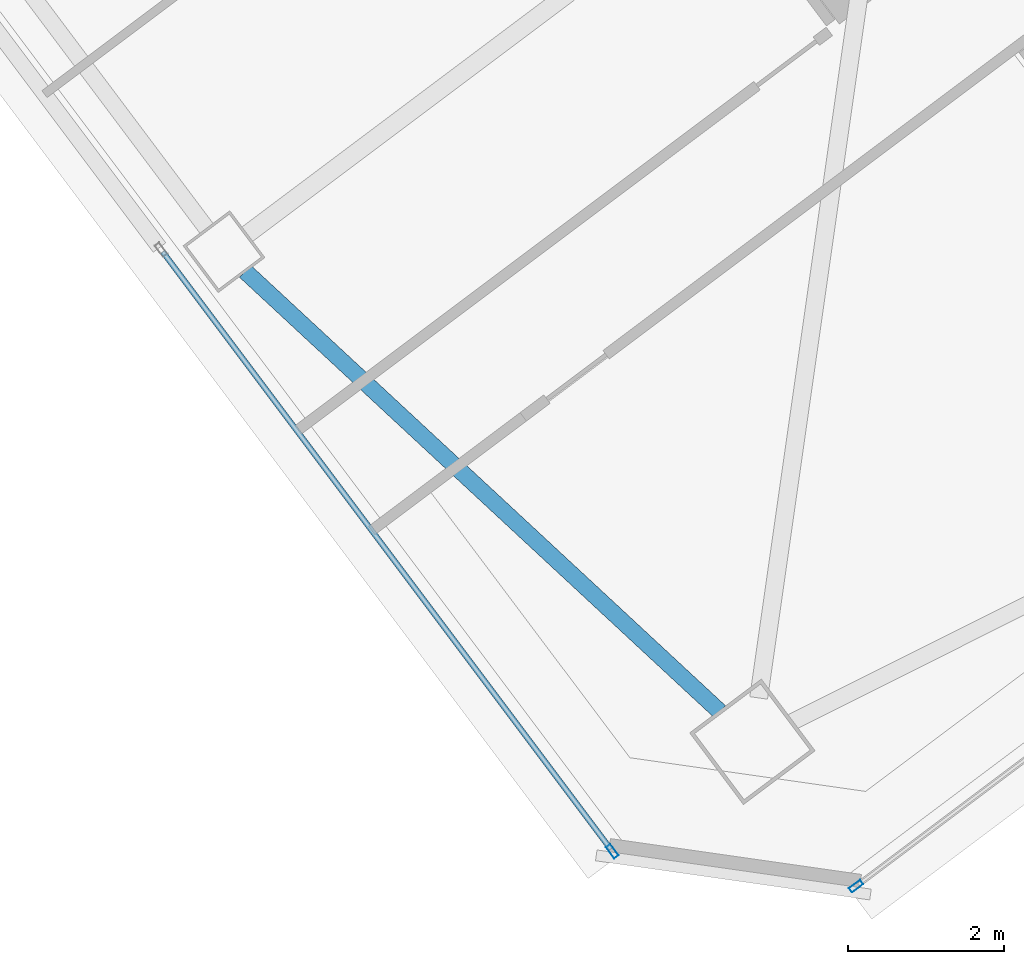
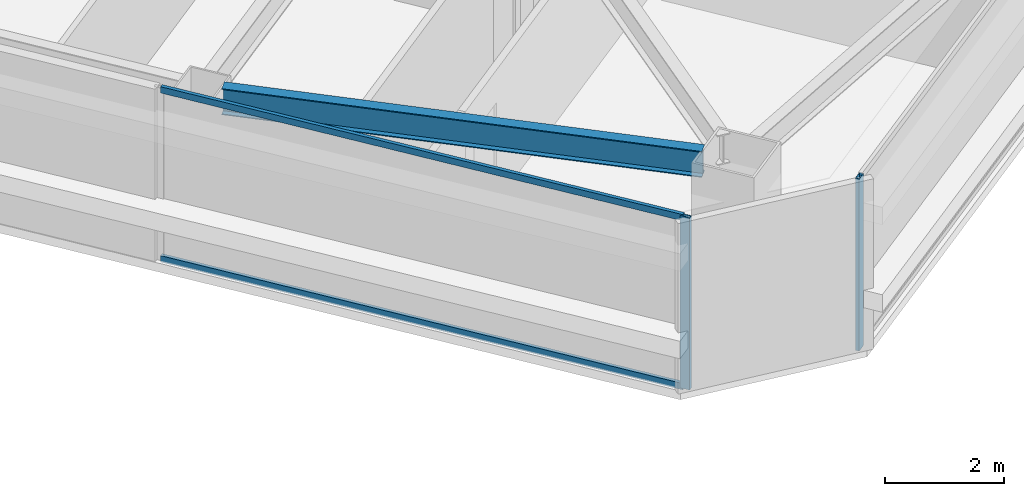
# One storey, part 17 of 41: 4 members, 1 beam, 2 elements without a shape of their own.
"""IFC4 building model written with IfcOpenShell, lengths in metres."""

from ifc_helpers import new_model, si_unit, direction, frame, origin, origin_2d, place, context, subcontext, project, spatial, hollow_rectangle, i_section, extrude, material, material_profile, profile_set, type_object, element, aggregate, save


model = new_model("IFC4")

# Units and contexts
model_context = context("Model", 3, precision=1e-05, world=origin(), true_north=direction((0.0, 1.0)))
body_context = subcontext(model_context, "Body", "Model", "MODEL_VIEW")
ifc_project = project(units=[si_unit("LENGTHUNIT", "METRE"), si_unit("AREAUNIT", "SQUARE_METRE"), si_unit("VOLUMEUNIT", "CUBIC_METRE"), si_unit("PLANEANGLEUNIT", "RADIAN"), si_unit("MASSUNIT", "GRAM", prefix="KILO")], contexts=[model_context])

# Site, building, storey
site_placement = place(None, origin())
site = spatial("IfcSite", under=ifc_project, at=site_placement, CompositionType="ELEMENT")
building_placement = place(site_placement, origin())
building = spatial("IfcBuilding", under=site, at=building_placement, Name="Tashvorn Skyway Center", CompositionType="ELEMENT")
storey_placement = place(building_placement, frame((0.0, 0.0, 192.5)))
storey = spatial("IfcBuildingStorey", under=building, at=storey_placement, Name="L52", CompositionType="ELEMENT", Elevation=192.5)

# Beam
ifc_material_1 = material(Name="Steel ASTM A992 Grade 50", Category="steel")
ifc_material_profile_1 = material_profile(ifc_material_1, i_section(OverallWidth=0.2109375, OverallDepth=0.5390625, WebThickness=0.01171875, FlangeThickness=0.018798828125, at=origin_2d()), Name="W21X73")
ifc_profile_set_1 = profile_set([ifc_material_profile_1], Name="Steel ASTM A992 Grade 50")
beam_type = type_object("IfcBeamType", Name="BM-SPANDREL-W21X73", PredefinedType="SPANDREL", material=ifc_profile_set_1)
beam_placement = place(storey_placement, frame((104.59130859375, 17.73828125, 3.1005859375), z_axis=(0.733101115618, -0.680119661736, 0.0), x_axis=(0.680119661736, 0.733101115618, 0.0)))
element("IfcBeam", 1, at=beam_placement, inside=storey, type_object=beam_type, Name="Tower 2 L52 Spandrel Beam 12", PredefinedType="SPANDREL", context=body_context, shape_type="SweptSolid", body=[
    extrude(i_section(OverallWidth=0.2109375, OverallDepth=0.5390625, WebThickness=0.01171875, FlangeThickness=0.018798828125, at=origin_2d()), origin(), (0.0, 0.0, 1.0), 8.308349609375),
])

# Curtain wall, member
ifc_material_2 = material(Name="Thermally broken bronze-anodized aluminium 6063-T6", Category="aluminium")
curtain_wall_type = type_object("IfcCurtainWallType", Name="CW-CW-Z4", PredefinedType="NOTDEFINED", material=ifc_material_2)
curtain_wall_1_placement = place(storey_placement, origin())
curtain_wall_1 = element("IfcCurtainWall", 2, at=curtain_wall_1_placement, inside=storey, type_object=curtain_wall_type, Name="Tower 2 L52 South Unitised Curtain Wall Glazing Group 2", PredefinedType="NOTDEFINED")
ifc_material_profile_2 = material_profile(ifc_material_2, hollow_rectangle(XDim=0.070068359375, YDim=0.179931640625, WallThickness=0.00390625, at=origin_2d()), Name="ALU-MULL-70x180")
ifc_profile_set_2 = profile_set([ifc_material_profile_2], Name="Thermally broken bronze-anodized aluminium 6063-T6")
member_type_1 = type_object("IfcMemberType", Name="CWM-CW-Z4", PredefinedType="MULLION", material=ifc_profile_set_2)
member_1_placement = place(storey_placement, frame((112.431884765625, 9.84912109375, 0.0), z_axis=(0.0, 0.0, 1.0), x_axis=(0.600000000002, -0.799999999998, 0.0)))
member_1 = element("IfcMember", 3, at=member_1_placement, type_object=member_type_1, Name="CW-Z4 mullion 2", PredefinedType="MULLION", context=body_context, shape_type="SweptSolid", body=[
    extrude(hollow_rectangle(XDim=0.070068359375, YDim=0.179931640625, WallThickness=0.00390625, at=origin_2d()), origin(), (0.0, 0.0, 1.0), 3.550048828125),
])
aggregate(curtain_wall_1, [member_1])

# Curtain wall, members
curtain_wall_2_placement = place(storey_placement, origin())
curtain_wall_2 = element("IfcCurtainWall", 4, at=curtain_wall_2_placement, inside=storey, type_object=curtain_wall_type, Name="Tower 2 L52 West Unitised Curtain Wall Glazing Group 1", PredefinedType="NOTDEFINED")
member_2_placement = place(storey_placement, frame((109.302978515625, 10.2958984375, 0.0), z_axis=(0.0, 0.0, 1.0), x_axis=(-0.799999999998, -0.600000000002, 0.0)))
member_2 = element("IfcMember", 5, at=member_2_placement, type_object=member_type_1, Name="CW-Z4 mullion 1", PredefinedType="MULLION", context=body_context, shape_type="SweptSolid", body=[
    extrude(hollow_rectangle(XDim=0.070068359375, YDim=0.179931640625, WallThickness=0.00390625, at=origin_2d()), origin(), (0.0, 0.0, 1.0), 3.550048828125),
])
ifc_material_profile_3 = material_profile(ifc_material_2, hollow_rectangle(XDim=0.070068359375, YDim=0.1298828125, WallThickness=0.00390625, at=origin_2d()), Name="ALU-TRAN-70x130")
ifc_profile_set_3 = profile_set([ifc_material_profile_3], Name="Thermally broken bronze-anodized aluminium 6063-T6")
member_type_2 = type_object("IfcMemberType", Name="CWT-CW-Z4", PredefinedType="USERDEFINED", material=ifc_profile_set_3)
member_3_placement = place(storey_placement, frame((109.281982421875, 10.323974609375, 0.034912109375), z_axis=(-0.6, 0.8, 0.0), x_axis=(-0.8, -0.6, 0.0)))
member_3 = element("IfcMember", 6, at=member_3_placement, type_object=member_type_2, Name="CW-Z4 transom 1.1", ObjectType="TRANSOM", PredefinedType="USERDEFINED", context=body_context, shape_type="SweptSolid", body=[
    extrude(hollow_rectangle(XDim=0.070068359375, YDim=0.1298828125, WallThickness=0.00390625, at=origin_2d()), origin(), (0.0, 0.0, 1.0), 9.580078125),
])
member_4_placement = place(storey_placement, frame((109.281982421875, 10.323974609375, 3.514892578125), z_axis=(-0.6, 0.8, 0.0), x_axis=(-0.8, -0.6, 0.0)))
member_4 = element("IfcMember", 7, at=member_4_placement, type_object=member_type_2, Name="CW-Z4 transom 1.2", ObjectType="TRANSOM", PredefinedType="USERDEFINED", context=body_context, shape_type="SweptSolid", body=[
    extrude(hollow_rectangle(XDim=0.070068359375, YDim=0.1298828125, WallThickness=0.00390625, at=origin_2d()), origin(), (0.0, 0.0, 1.0), 9.580078125),
])
aggregate(curtain_wall_2, [member_2, member_3, member_4])

save(model, "model.ifc")
